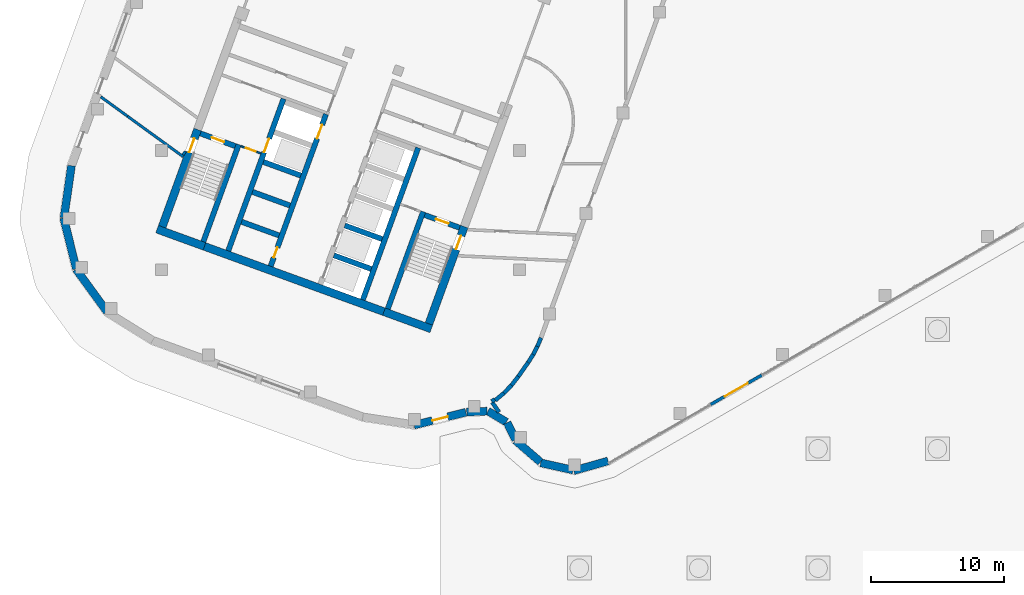
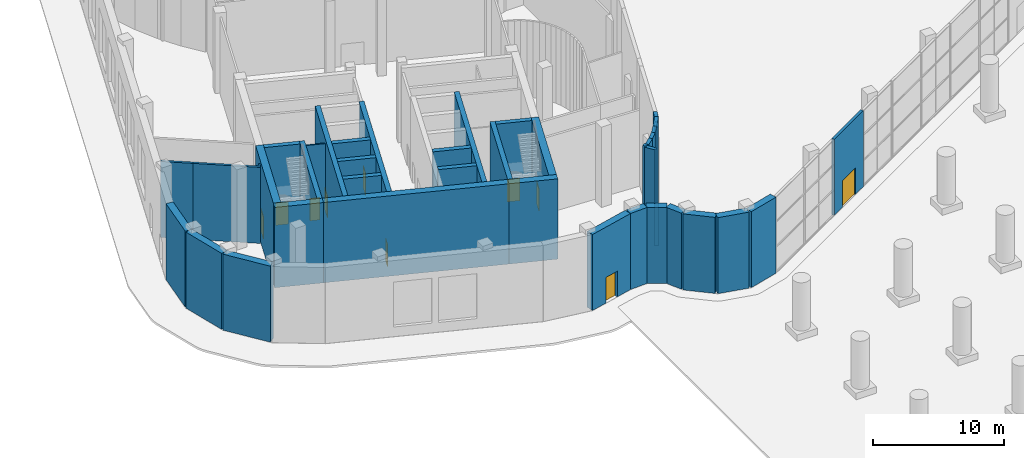
# One storey, part 12 of 30: 41 walls, 10 doors, 10 openings.
"""IFC4 building model written with IfcOpenShell, lengths in metres."""

from ifc_helpers import new_model, si_unit, direction, frame, frame_2d, origin, place, context, subcontext, project, spatial, rectangle, extrude, material, layer, layer_set, type_object, element, fill, save


model = new_model("IFC4")

# Units and contexts
model_context = context("Model", 3, precision=1e-05, world=origin(), true_north=direction((0.0, 1.0)))
body_context = subcontext(model_context, "Body", "Model", "MODEL_VIEW")
ifc_project = project(units=[si_unit("LENGTHUNIT", "METRE"), si_unit("AREAUNIT", "SQUARE_METRE"), si_unit("VOLUMEUNIT", "CUBIC_METRE"), si_unit("PLANEANGLEUNIT", "RADIAN"), si_unit("MASSUNIT", "GRAM", prefix="KILO")], contexts=[model_context])

# Site, building, storey
site_placement = place(None, origin())
site = spatial("IfcSite", under=ifc_project, at=site_placement, CompositionType="ELEMENT")
building_placement = place(site_placement, origin())
building = spatial("IfcBuilding", under=site, at=building_placement, Name="Skarvind Civic Tower", CompositionType="ELEMENT")
storey_placement = place(building_placement, origin())
storey = spatial("IfcBuildingStorey", under=building, at=storey_placement, Name="L00", CompositionType="ELEMENT", Elevation=0.0)

# Wall
ifc_material_1 = material(Name="Concrete C80", Category="concrete")
ifc_layer_1 = layer(ifc_material_1, 0.39990234375)
ifc_layer_set_1 = layer_set([ifc_layer_1], Name="Core wall 400 C80")
wall_type_1 = type_object("IfcWallType", Name="Core wall 400 C80", PredefinedType="SHEAR", material=ifc_layer_set_1)
wall_1_placement = place(storey_placement, frame((36.057861328125, 79.04833984375, 0.0), z_axis=(0.0, 0.0, 1.0), x_axis=(0.342016982193, 0.939693771338, 0.0)))
element("IfcWall", 1, at=wall_1_placement, inside=storey, type_object=wall_type_1, Name="Core wall C2 south stair inner L00", PredefinedType="SHEAR", context=body_context, shape_type="SweptSolid", body=[
    extrude(rectangle(XDim=7.800048828125, YDim=0.39990234375, at=frame_2d((3.89990234375, 0.0))), origin(), (0.0, 0.0, 1.0), 7.5),
])

# Wall, opening, door
wall_2_placement = place(storey_placement, frame((41.476318359375, 85.163818359375, 0.0), z_axis=(0.0, 0.0, 1.0), x_axis=(-0.939678810556, 0.342058084236, 0.0)))
wall_2 = element("IfcWall", 2, at=wall_2_placement, inside=storey, type_object=wall_type_1, Name="Core wall C2 south stair end L00", PredefinedType="SHEAR", context=body_context, shape_type="SweptSolid", body=[
    extrude(rectangle(XDim=2.800048828125, YDim=0.39990234375, at=frame_2d((1.39990234375, 0.0))), origin(), (0.0, 0.0, 1.0), 7.5),
])
opening_1_placement = place(wall_2_placement, frame((0.89990234375, 0.0, 0.0)))
opening_1 = element("IfcOpeningElement", 3, at=opening_1_placement, cuts=wall_2, Name="Opening D-L00-C2-15", PredefinedType="OPENING", context=body_context, shape_type="SweptSolid", body=[
    extrude(rectangle(XDim=1.0, YDim=2.10009765625, at=frame_2d((0.5, 1.050048828125))), frame((0.0, 0.2099609375, 0.0), z_axis=(0.0, -1.0, 0.0), x_axis=(1.0, 0.0, 0.0)), (0.0, 0.0, 1.0), 0.419921875),
])
ifc_material_2 = material(Name="Fire-rated steel door", Category="steel")
door_type_1 = type_object("IfcDoorType", Name="Fire door 1000", OperationType="NOTDEFINED", PredefinedType="DOOR", material=ifc_material_2)
door_1_placement = place(opening_1_placement, origin())
door_1 = element("IfcDoor", 4, at=door_1_placement, inside=storey, type_object=door_type_1, Name="Fire door", OperationType="SINGLE_SWING_RIGHT", OverallHeight=2.10009765625, OverallWidth=1.0, PredefinedType="DOOR", context=body_context, shape_type="SweptSolid", body=[
    extrude(rectangle(XDim=1.0, YDim=2.10009765625, at=frame_2d((0.5, 1.050048828125))), frame((0.0, 0.02490234375, 0.0), z_axis=(0.0, -1.0, 0.0), x_axis=(1.0, 0.0, 0.0)), (0.0, 0.0, 1.0), 0.050048828125),
])
fill(opening_1, door_1)

# Wall
wall_3_placement = place(storey_placement, frame((22.150390625, 84.110107421875, 0.0), z_axis=(0.0, 0.0, 1.0), x_axis=(0.342016982193, 0.939693771338, 0.0)))
element("IfcWall", 5, at=wall_3_placement, inside=storey, type_object=wall_type_1, Name="Core wall C2 north stair inner L00", PredefinedType="SHEAR", context=body_context, shape_type="SweptSolid", body=[
    extrude(rectangle(XDim=7.800048828125, YDim=0.39990234375, at=frame_2d((3.89990234375, 0.0))), origin(), (0.0, 0.0, 1.0), 7.5),
])

# Wall, opening, door
wall_4_placement = place(storey_placement, frame((24.56201171875, 91.3203125, 0.0), z_axis=(0.0, 0.0, 1.0), x_axis=(-0.939717030584, 0.341953070509, 0.0)))
wall_4 = element("IfcWall", 6, at=wall_4_placement, inside=storey, type_object=wall_type_1, Name="Core wall C2 north stair end L00", PredefinedType="SHEAR", context=body_context, shape_type="SweptSolid", body=[
    extrude(rectangle(XDim=2.800048828125, YDim=0.39990234375, at=frame_2d((1.39990234375, 0.0))), origin(), (0.0, 0.0, 1.0), 7.5),
])
opening_2_placement = place(wall_4_placement, frame((0.89990234375, 0.0, 0.0)))
opening_2 = element("IfcOpeningElement", 7, at=opening_2_placement, cuts=wall_4, Name="Opening D-L00-C2-10", PredefinedType="OPENING", context=body_context, shape_type="SweptSolid", body=[
    extrude(rectangle(XDim=1.0, YDim=2.10009765625, at=frame_2d((0.5, 1.050048828125))), frame((0.0, 0.2099609375, 0.0), z_axis=(0.0, -1.0, 0.0), x_axis=(1.0, 0.0, 0.0)), (0.0, 0.0, 1.0), 0.419921875),
])
door_2_placement = place(opening_2_placement, origin())
door_2 = element("IfcDoor", 8, at=door_2_placement, inside=storey, type_object=door_type_1, Name="Fire door", OperationType="SINGLE_SWING_LEFT", OverallHeight=2.10009765625, OverallWidth=1.0, PredefinedType="DOOR", context=body_context, shape_type="SweptSolid", body=[
    extrude(rectangle(XDim=1.0, YDim=2.10009765625, at=frame_2d((0.5, 1.050048828125))), frame((0.0, 0.02490234375, 0.0), z_axis=(0.0, -1.0, 0.0), x_axis=(1.0, 0.0, 0.0)), (0.0, 0.0, 1.0), 0.050048828125),
])
fill(opening_2, door_2)

# Walls
wall_5_placement = place(storey_placement, frame((34.178466796875, 79.732177734375, 0.0), z_axis=(0.0, 0.0, 1.0), x_axis=(0.342014590177, 0.939694641948, 0.0)))
element("IfcWall", 9, at=wall_5_placement, inside=storey, type_object=wall_type_1, Name="Core wall C2 south lift row back L00", PredefinedType="SHEAR", context=body_context, shape_type="SweptSolid", body=[
    extrude(rectangle(XDim=12.2001953125, YDim=0.39990234375, at=frame_2d((6.10009765625, 0.0))), origin(), (0.0, 0.0, 1.0), 7.5),
])
for number, where, z_axis, x_axis, name in (
    (10, (34.8115234375, 82.055908203125, 0.0), (0.0, 0.0, 1.0), (-0.939686455819, 0.342037080957, 0.0), "Core wall C2 south lift row division 1 L00"),
    (11, (35.63232421875, 84.311279296875, 0.0), (0.0, 0.0, 1.0), (-0.939712609717, 0.341965219194, 0.0), "Core wall C2 south lift row division 2 L00"),
):
    element("IfcWall", number, at=place(storey_placement, frame(where, z_axis=z_axis, x_axis=x_axis)), inside=storey, type_object=wall_type_1, Name=name, PredefinedType="SHEAR", context=body_context, shape_type="SweptSolid", body=[
        extrude(rectangle(XDim=3.0, YDim=0.39990234375, at=frame_2d((1.5, 0.0))), origin(), (0.0, 0.0, 1.0), 7.5),
    ])

# Wall, openings, doors
wall_6_placement = place(storey_placement, frame((27.224853515625, 82.26318359375, 0.0), z_axis=(0.0, 0.0, 1.0), x_axis=(0.342014590177, 0.939694641948, 0.0)))
wall_6 = element("IfcWall", 12, at=wall_6_placement, inside=storey, type_object=wall_type_1, Name="Core wall C2 north lift row front L00", PredefinedType="SHEAR", context=body_context, shape_type="SweptSolid", body=[
    extrude(rectangle(XDim=12.2001953125, YDim=0.39990234375, at=frame_2d((6.10009765625, 0.0))), origin(), (0.0, 0.0, 1.0), 7.5),
])
opening_3_placement = place(wall_6_placement, frame((10.25, 0.0, 0.0)))
opening_3 = element("IfcOpeningElement", 13, at=opening_3_placement, cuts=wall_6, Name="Opening LD02205", PredefinedType="OPENING", context=body_context, shape_type="SweptSolid", body=[
    extrude(rectangle(XDim=1.10009765625, YDim=2.10009765625, at=frame_2d((0.550048828125, 1.050048828125))), frame((0.0, 0.2099609375, 0.0), z_axis=(0.0, -1.0, 0.0), x_axis=(1.0, 0.0, 0.0)), (0.0, 0.0, 1.0), 0.419921875),
])
opening_4_placement = place(wall_6_placement, frame((0.699951171875, 0.0, 0.0)))
opening_4 = element("IfcOpeningElement", 14, at=opening_4_placement, cuts=wall_6, Name="Opening D-L00-C2-07", PredefinedType="OPENING", context=body_context, shape_type="SweptSolid", body=[
    extrude(rectangle(XDim=0.800048828125, YDim=2.10009765625, at=frame_2d((0.39990234375, 1.050048828125))), frame((0.0, 0.2099609375, 0.0), z_axis=(0.0, -1.0, 0.0), x_axis=(1.0, 0.0, 0.0)), (0.0, 0.0, 1.0), 0.419921875),
])
door_type_2 = type_object("IfcDoorType", Name="Core riser door 800", OperationType="NOTDEFINED", PredefinedType="DOOR", material=ifc_material_2)
door_3_placement = place(opening_4_placement, origin())
door_3 = element("IfcDoor", 15, at=door_3_placement, inside=storey, type_object=door_type_2, Name="Riser door", OperationType="SINGLE_SWING_LEFT", OverallHeight=2.10009765625, OverallWidth=0.800048828125, PredefinedType="DOOR", context=body_context, shape_type="SweptSolid", body=[
    extrude(rectangle(XDim=0.800048828125, YDim=2.10009765625, at=frame_2d((0.39990234375, 1.050048828125))), frame((0.0, 0.02490234375, 0.0), z_axis=(0.0, -1.0, 0.0), x_axis=(1.0, 0.0, 0.0)), (0.0, 0.0, 1.0), 0.050048828125),
])
fill(opening_4, door_3)
ifc_material_3 = material(Name="Stainless steel landing door", Category="steel")
door_type_3 = type_object("IfcDoorType", Name="Lift landing door 1100", OperationType="DOUBLE_DOOR_SLIDING", PredefinedType="DOOR", material=ifc_material_3)
door_4_placement = place(opening_3_placement, origin())
door_4 = element("IfcDoor", 16, at=door_4_placement, inside=storey, type_object=door_type_3, Name="Lift landing door", OperationType="DOUBLE_DOOR_SLIDING", OverallHeight=2.10009765625, OverallWidth=1.10009765625, PredefinedType="DOOR", context=body_context, shape_type="SweptSolid", body=[
    extrude(rectangle(XDim=1.10009765625, YDim=2.10009765625, at=frame_2d((0.550048828125, 1.050048828125))), frame((0.0, 0.02490234375, 0.0), z_axis=(0.0, -1.0, 0.0), x_axis=(1.0, 0.0, 0.0)), (0.0, 0.0, 1.0), 0.050048828125),
])
fill(opening_3, door_4)

# Wall, opening, door
wall_7_placement = place(storey_placement, frame((24.02978515625, 83.426025390625, 0.0), z_axis=(0.0, 0.0, 1.0), x_axis=(0.342014590177, 0.939694641948, 0.0)))
wall_7 = element("IfcWall", 17, at=wall_7_placement, inside=storey, type_object=wall_type_1, Name="Core wall C2 north lift row back L00", PredefinedType="SHEAR", context=body_context, shape_type="SweptSolid", body=[
    extrude(rectangle(XDim=12.2001953125, YDim=0.39990234375, at=frame_2d((6.10009765625, 0.0))), origin(), (0.0, 0.0, 1.0), 7.5),
])
opening_5_placement = place(wall_7_placement, frame((7.89990234375, 0.0, 0.0)))
opening_5 = element("IfcOpeningElement", 18, at=opening_5_placement, cuts=wall_7, Name="Opening LD02204", PredefinedType="OPENING", context=body_context, shape_type="SweptSolid", body=[
    extrude(rectangle(XDim=1.10009765625, YDim=2.10009765625, at=frame_2d((0.550048828125, 1.050048828125))), frame((0.0, 0.2099609375, 0.0), z_axis=(0.0, -1.0, 0.0), x_axis=(1.0, 0.0, 0.0)), (0.0, 0.0, 1.0), 0.419921875),
])
door_5_placement = place(opening_5_placement, origin())
door_5 = element("IfcDoor", 19, at=door_5_placement, inside=storey, type_object=door_type_3, Name="Lift landing door", OperationType="DOUBLE_DOOR_SLIDING", OverallHeight=2.10009765625, OverallWidth=1.10009765625, PredefinedType="DOOR", context=body_context, shape_type="SweptSolid", body=[
    extrude(rectangle(XDim=1.10009765625, YDim=2.10009765625, at=frame_2d((0.550048828125, 1.050048828125))), frame((0.0, 0.02490234375, 0.0), z_axis=(0.0, -1.0, 0.0), x_axis=(1.0, 0.0, 0.0)), (0.0, 0.0, 1.0), 0.050048828125),
])
fill(opening_5, door_5)

# Walls
wall_8_placement = place(storey_placement, frame((27.857666015625, 84.5869140625, 0.0), z_axis=(0.0, 0.0, 1.0), x_axis=(-0.939686455819, 0.342037080957, 0.0)))
element("IfcWall", 20, at=wall_8_placement, inside=storey, type_object=wall_type_1, Name="Core wall C2 north lift row division 1 L00", PredefinedType="SHEAR", context=body_context, shape_type="SweptSolid", body=[
    extrude(rectangle(XDim=3.0, YDim=0.39990234375, at=frame_2d((1.5, 0.0))), origin(), (0.0, 0.0, 1.0), 7.5),
])
wall_9_placement = place(storey_placement, frame((28.678466796875, 86.842041015625, 0.0), z_axis=(0.0, 0.0, 1.0), x_axis=(-0.939676934218, 0.342063238742, 0.0)))
element("IfcWall", 21, at=wall_9_placement, inside=storey, type_object=wall_type_1, Name="Core wall C2 north lift row division 2 L00", PredefinedType="SHEAR", context=body_context, shape_type="SweptSolid", body=[
    extrude(rectangle(XDim=2.999755859375, YDim=0.39990234375, at=frame_2d((1.5, 0.0))), origin(), (0.0, 0.0, 1.0), 7.5),
])
wall_10_placement = place(storey_placement, frame((29.49951171875, 89.097412109375, 0.0), z_axis=(0.0, 0.0, 1.0), x_axis=(-0.939686455819, 0.342037080957, 0.0)))
element("IfcWall", 22, at=wall_10_placement, inside=storey, type_object=wall_type_1, Name="Core wall C2 north lift row division 3 L00", PredefinedType="SHEAR", context=body_context, shape_type="SweptSolid", body=[
    extrude(rectangle(XDim=3.0, YDim=0.39990234375, at=frame_2d((1.5, 0.0))), origin(), (0.0, 0.0, 1.0), 7.5),
])
ifc_layer_2 = layer(ifc_material_1, 0.60009765625)
ifc_layer_set_2 = layer_set([ifc_layer_2], Name="Core wall 600 C80")
wall_type_2 = type_object("IfcWallType", Name="Core wall 600 C80", PredefinedType="SHEAR", material=ifc_layer_set_2)
wall_11_placement = place(storey_placement, frame((39.338134765625, 77.53515625, 0.0), z_axis=(0.0, 0.0, 1.0), x_axis=(-0.939701471648, 0.341995824804, 0.0)))
element("IfcWall", 23, at=wall_11_placement, inside=storey, type_object=wall_type_2, Name="Core wall C2 tip at the south stair L00", PredefinedType="SHEAR", context=body_context, shape_type="SweptSolid", body=[
    extrude(rectangle(XDim=3.800048828125, YDim=0.60009765625, at=frame_2d((1.89990234375, 0.0))), origin(), (0.0, 0.0, 1.0), 7.5),
])
wall_12_placement = place(storey_placement, frame((35.767333984375, 78.834716796875, 0.0), z_axis=(0.0, 0.0, 1.0), x_axis=(-0.939692894512, 0.342019391267, 0.0)))
element("IfcWall", 24, at=wall_12_placement, inside=storey, type_object=wall_type_2, Name="Core wall C2 tip between the stairs L00", PredefinedType="SHEAR", context=body_context, shape_type="SweptSolid", body=[
    extrude(rectangle(XDim=14.39990234375, YDim=0.60009765625, at=frame_2d((7.199951171875, 0.0))), origin(), (0.0, 0.0, 1.0), 7.5),
])
wall_13_placement = place(storey_placement, frame((22.23583984375, 83.759765625, 0.0), z_axis=(0.0, 0.0, 1.0), x_axis=(-0.939680822529, 0.342052557032, 0.0)))
element("IfcWall", 25, at=wall_13_placement, inside=storey, type_object=wall_type_2, Name="Core wall C2 tip at the north stair L00", PredefinedType="SHEAR", context=body_context, shape_type="SweptSolid", body=[
    extrude(rectangle(XDim=3.800048828125, YDim=0.60009765625, at=frame_2d((1.89990234375, 0.0))), origin(), (0.0, 0.0, 1.0), 7.5),
])

# Wall, opening, door
wall_14_placement = place(storey_placement, frame((39.158935546875, 77.919677734375, 0.0), z_axis=(0.0, 0.0, 1.0), x_axis=(0.342016982193, 0.939693771338, 0.0)))
wall_14 = element("IfcWall", 26, at=wall_14_placement, inside=storey, type_object=wall_type_2, Name="Core wall C2 south side at the stair L00", PredefinedType="SHEAR", context=body_context, shape_type="SweptSolid", body=[
    extrude(rectangle(XDim=7.800048828125, YDim=0.60009765625, at=frame_2d((3.89990234375, 0.0))), origin(), (0.0, 0.0, 1.0), 7.5),
])
opening_6_placement = place(wall_14_placement, frame((5.97509765625, 0.0, 0.0)))
opening_6 = element("IfcOpeningElement", 27, at=opening_6_placement, cuts=wall_14, Name="Opening D-L00-C2-20", PredefinedType="OPENING", context=body_context, shape_type="SweptSolid", body=[
    extrude(rectangle(XDim=1.10009765625, YDim=2.10009765625, at=frame_2d((0.550048828125, 1.050048828125))), frame((0.0, 0.31005859375, 0.0), z_axis=(0.0, -1.0, 0.0), x_axis=(1.0, 0.0, 0.0)), (0.0, 0.0, 1.0), 0.6201171875),
])
door_type_4 = type_object("IfcDoorType", Name="Fire door 1100", OperationType="NOTDEFINED", PredefinedType="DOOR", material=ifc_material_2)
door_6_placement = place(opening_6_placement, origin())
door_6 = element("IfcDoor", 28, at=door_6_placement, inside=storey, type_object=door_type_4, Name="Stair exit door", OperationType="SINGLE_SWING_LEFT", OverallHeight=2.10009765625, OverallWidth=1.10009765625, PredefinedType="DOOR", context=body_context, shape_type="SweptSolid", body=[
    extrude(rectangle(XDim=1.10009765625, YDim=2.10009765625, at=frame_2d((0.550048828125, 1.050048828125))), frame((0.0, 0.02490234375, 0.0), z_axis=(0.0, -1.0, 0.0), x_axis=(1.0, 0.0, 0.0)), (0.0, 0.0, 1.0), 0.050048828125),
])
fill(opening_6, door_6)

wall_15_placement = place(storey_placement, frame((19.049560546875, 85.23876953125, 0.0), z_axis=(0.0, 0.0, 1.0), x_axis=(0.342016982193, 0.939693771338, 0.0)))
wall_15 = element("IfcWall", 29, at=wall_15_placement, inside=storey, type_object=wall_type_2, Name="Core wall C2 north side at the stair L00", PredefinedType="SHEAR", context=body_context, shape_type="SweptSolid", body=[
    extrude(rectangle(XDim=7.800048828125, YDim=0.60009765625, at=frame_2d((3.89990234375, 0.0))), origin(), (0.0, 0.0, 1.0), 7.5),
])
opening_7_placement = place(wall_15_placement, frame((5.97509765625, 0.0, 0.0)))
opening_7 = element("IfcOpeningElement", 30, at=opening_7_placement, cuts=wall_15, Name="Opening D-L00-C2-21", PredefinedType="OPENING", context=body_context, shape_type="SweptSolid", body=[
    extrude(rectangle(XDim=1.10009765625, YDim=2.10009765625, at=frame_2d((0.550048828125, 1.050048828125))), frame((0.0, 0.31005859375, 0.0), z_axis=(0.0, -1.0, 0.0), x_axis=(1.0, 0.0, 0.0)), (0.0, 0.0, 1.0), 0.6201171875),
])
door_7_placement = place(opening_7_placement, origin())
door_7 = element("IfcDoor", 31, at=door_7_placement, inside=storey, type_object=door_type_4, Name="Stair exit door", OperationType="SINGLE_SWING_LEFT", OverallHeight=2.10009765625, OverallWidth=1.10009765625, PredefinedType="DOOR", context=body_context, shape_type="SweptSolid", body=[
    extrude(rectangle(XDim=1.10009765625, YDim=2.10009765625, at=frame_2d((0.550048828125, 1.050048828125))), frame((0.0, 0.02490234375, 0.0), z_axis=(0.0, -1.0, 0.0), x_axis=(1.0, 0.0, 0.0)), (0.0, 0.0, 1.0), 0.050048828125),
])
fill(opening_7, door_7)

# Walls
ifc_material_4 = material(Name="Fire-rated blockwork wall, plastered", Category="masonry")
ifc_layer_3 = layer(ifc_material_4, 0.199951171875)
ifc_layer_set_3 = layer_set([ifc_layer_3], Name="FIRE WALL 200 EI 120")
wall_type_3 = type_object("IfcWallType", Name="FIRE WALL 200 EI 120", PredefinedType="PARTITIONING", material=ifc_layer_set_3)
wall_16_placement = place(storey_placement, frame((14.4208984375, 95.034912109375, 0.0), z_axis=(0.0, 0.0, 1.0), x_axis=(0.809175682169, -0.587566775257, 0.0)))
element("IfcWall", 32, at=wall_16_placement, inside=storey, type_object=wall_type_3, Name="Podium partition L00 001", PredefinedType="PARTITIONING", context=body_context, shape_type="SweptSolid", body=[
    extrude(rectangle(XDim=2.496337890625, YDim=0.199951171875, at=frame_2d((1.248046875, 0.0))), origin(), (0.0, 0.0, 1.0), 7.10009765625),
])
wall_17_placement = place(storey_placement, frame((16.44091796875, 93.568115234375, 0.0), z_axis=(0.0, 0.0, 1.0), x_axis=(0.808958037441, -0.587866390993, 0.0)))
element("IfcWall", 33, at=wall_17_placement, inside=storey, type_object=wall_type_3, Name="Podium partition L00 003", PredefinedType="PARTITIONING", context=body_context, shape_type="SweptSolid", body=[
    extrude(rectangle(XDim=5.183349609375, YDim=0.199951171875, at=frame_2d((2.591796875, 0.0))), origin(), (0.0, 0.0, 1.0), 7.10009765625),
])
wall_18_placement = place(storey_placement, frame((20.612060546875, 90.660888671875, 0.0), z_axis=(0.0, 0.0, 1.0), x_axis=(0.588498675879, 0.808498180881, 0.0)))
element("IfcWall", 34, at=wall_18_placement, inside=storey, type_object=wall_type_3, Name="Podium partition L00 004", PredefinedType="PARTITIONING", context=body_context, shape_type="SweptSolid", body=[
    extrude(rectangle(XDim=0.310791015625, YDim=0.199951171875, at=frame_2d((0.1552734375, 0.0))), origin(), (0.0, 0.0, 1.0), 7.10009765625),
])
ifc_material_5 = material(Name="Dense blockwork wall, plastered", Category="masonry")
ifc_layer_4 = layer(ifc_material_5, 0.300048828125)
ifc_layer_set_4 = layer_set([ifc_layer_4], Name="MASONRY WALL 300")
wall_type_4 = type_object("IfcWallType", Name="MASONRY WALL 300", PredefinedType="PARTITIONING", material=ifc_layer_set_4)
wall_19_placement = place(storey_placement, frame((43.930908203125, 71.9970703125, 0.0), z_axis=(0.0, 0.0, 1.0), x_axis=(0.57380776135, -0.818990020095, 0.0)))
element("IfcWall", 35, at=wall_19_placement, inside=storey, type_object=wall_type_4, Name="Podium partition L00 029", PredefinedType="PARTITIONING", context=body_context, shape_type="SweptSolid", body=[
    extrude(rectangle(XDim=0.901123046875, YDim=0.300048828125, at=frame_2d((0.45068359375, 0.0))), origin(), (0.0, 0.0, 1.0), 12.10009765625),
])
wall_20_placement = place(storey_placement, frame((43.89111328125, 72.06689453125, 0.0), z_axis=(0.0, 0.0, 1.0), x_axis=(0.830985614817, 0.556293904306, 0.0)))
element("IfcWall", 36, at=wall_20_placement, inside=storey, type_object=wall_type_4, Name="Podium partition L00 030", PredefinedType="PARTITIONING", context=body_context, shape_type="SweptSolid", body=[
    extrude(rectangle(XDim=0.28271484375, YDim=0.300048828125, at=frame_2d((0.141357421875, 0.0))), origin(), (0.0, 0.0, 1.0), 12.10009765625),
])
wall_21_placement = place(storey_placement, frame((44.156982421875, 72.14794921875, 0.0), z_axis=(0.0, 0.0, 1.0), x_axis=(0.76598684345, 0.642856248054, 0.0)))
element("IfcWall", 37, at=wall_21_placement, inside=storey, type_object=wall_type_4, Name="Podium partition L00 031", PredefinedType="PARTITIONING", context=body_context, shape_type="SweptSolid", body=[
    extrude(rectangle(XDim=0.8525390625, YDim=0.300048828125, at=frame_2d((0.42626953125, 0.0))), origin(), (0.0, 0.0, 1.0), 12.10009765625),
])
wall_22_placement = place(storey_placement, frame((44.799072265625, 72.68505859375, 0.0), z_axis=(0.0, 0.0, 1.0), x_axis=(0.693537256073, 0.720420762082, 0.0)))
element("IfcWall", 38, at=wall_22_placement, inside=storey, type_object=wall_type_4, Name="Podium partition L00 033", PredefinedType="PARTITIONING", context=body_context, shape_type="SweptSolid", body=[
    extrude(rectangle(XDim=0.853759765625, YDim=0.300048828125, at=frame_2d((0.4267578125, 0.0))), origin(), (0.0, 0.0, 1.0), 12.10009765625),
])
wall_23_placement = place(storey_placement, frame((45.381103515625, 73.2880859375, 0.0), z_axis=(0.0, 0.0, 1.0), x_axis=(0.615889519924, 0.787832532489, 0.0)))
element("IfcWall", 39, at=wall_23_placement, inside=storey, type_object=wall_type_4, Name="Podium partition L00 034", PredefinedType="PARTITIONING", context=body_context, shape_type="SweptSolid", body=[
    extrude(rectangle(XDim=0.84912109375, YDim=0.300048828125, at=frame_2d((0.424560546875, 0.0))), origin(), (0.0, 0.0, 1.0), 12.10009765625),
])
wall_24_placement = place(storey_placement, frame((45.89990234375, 73.950927734375, 0.0), z_axis=(0.0, 0.0, 1.0), x_axis=(0.573487599406, 0.819214241409, 0.0)))
element("IfcWall", 40, at=wall_24_placement, inside=storey, type_object=wall_type_4, Name="Podium partition L00 035", PredefinedType="PARTITIONING", context=body_context, shape_type="SweptSolid", body=[
    extrude(rectangle(XDim=1.297607421875, YDim=0.300048828125, at=frame_2d((0.64892578125, 0.0))), origin(), (0.0, 0.0, 1.0), 12.10009765625),
])
wall_25_placement = place(storey_placement, frame((46.64404296875, 75.013916015625, 0.0), z_axis=(0.0, 0.0, 1.0), x_axis=(0.537794462824, 0.843075984568, 0.0)))
element("IfcWall", 41, at=wall_25_placement, inside=storey, type_object=wall_type_4, Name="Podium partition L00 040", PredefinedType="PARTITIONING", context=body_context, shape_type="SweptSolid", body=[
    extrude(rectangle(XDim=0.70458984375, YDim=0.300048828125, at=frame_2d((0.352294921875, 0.0))), origin(), (0.0, 0.0, 1.0), 11.10009765625),
])
wall_26_placement = place(storey_placement, frame((47.01611328125, 75.595947265625, 0.0), z_axis=(0.0, 0.0, 1.0), x_axis=(0.461028446506, 0.887385356827, 0.0)))
element("IfcWall", 42, at=wall_26_placement, inside=storey, type_object=wall_type_4, Name="Podium partition L00 042", PredefinedType="PARTITIONING", context=body_context, shape_type="SweptSolid", body=[
    extrude(rectangle(XDim=0.711181640625, YDim=0.300048828125, at=frame_2d((0.35546875, 0.0))), origin(), (0.0, 0.0, 1.0), 11.10009765625),
])
wall_27_placement = place(storey_placement, frame((47.337890625, 76.215087890625, 0.0), z_axis=(0.0, 0.0, 1.0), x_axis=(0.383188071607, 0.923670342589, 0.0)))
element("IfcWall", 43, at=wall_27_placement, inside=storey, type_object=wall_type_4, Name="Podium partition L00 046", PredefinedType="PARTITIONING", context=body_context, shape_type="SweptSolid", body=[
    extrude(rectangle(XDim=0.70458984375, YDim=0.300048828125, at=frame_2d((0.352294921875, 0.0))), origin(), (0.0, 0.0, 1.0), 11.10009765625),
])

# Wall, opening, door
ifc_material_6 = material(Name="Fire-rated masonry partition", Category="masonry")
ifc_layer_5 = layer(ifc_material_6, 0.125)
ifc_layer_set_5 = layer_set([ifc_layer_5], Name="Riser wall 125")
wall_type_5 = type_object("IfcWallType", Name="Riser wall 125", PredefinedType="PARTITIONING", material=ifc_layer_set_5)
wall_28_placement = place(storey_placement, frame((24.98486328125, 91.3125, 0.0), z_axis=(0.0, 0.0, 1.0), x_axis=(0.939708740826, -0.341975850632, 0.0)))
wall_28 = element("IfcWall", 44, at=wall_28_placement, inside=storey, type_object=wall_type_5, Name="Core wall C2", PredefinedType="PARTITIONING", context=body_context, shape_type="SweptSolid", body=[
    extrude(rectangle(XDim=1.599853515625, YDim=0.125, at=frame_2d((0.7998046875, 0.0))), origin(), (0.0, 0.0, 1.0), 7.10009765625),
])
opening_8_placement = place(wall_28_placement, frame((0.39990234375, 0.0, 0.0)))
opening_8 = element("IfcOpeningElement", 45, at=opening_8_placement, cuts=wall_28, Name="Opening D-L00-C2-11", PredefinedType="OPENING", context=body_context, shape_type="SweptSolid", body=[
    extrude(rectangle(XDim=0.800048828125, YDim=2.10009765625, at=frame_2d((0.39990234375, 1.050048828125))), frame((0.0, 0.072509765625, 0.0), z_axis=(0.0, -1.0, 0.0), x_axis=(1.0, 0.0, 0.0)), (0.0, 0.0, 1.0), 0.14501953125),
])
door_8_placement = place(opening_8_placement, origin())
door_8 = element("IfcDoor", 46, at=door_8_placement, inside=storey, type_object=door_type_2, Name="Riser door", OperationType="SINGLE_SWING_RIGHT", OverallHeight=2.10009765625, OverallWidth=0.800048828125, PredefinedType="DOOR", context=body_context, shape_type="SweptSolid", body=[
    extrude(rectangle(XDim=0.800048828125, YDim=2.10009765625, at=frame_2d((0.39990234375, 1.050048828125))), frame((0.0, 0.02490234375, 0.0), z_axis=(0.0, -1.0, 0.0), x_axis=(1.0, 0.0, 0.0)), (0.0, 0.0, 1.0), 0.050048828125),
])
fill(opening_8, door_8)

# Walls
ifc_material_7 = material(Name="Limestone masonry cladding on insulated backing", Category="masonry")
ifc_layer_6 = layer(ifc_material_7, 0.60009765625)
ifc_layer_set_6 = layer_set([ifc_layer_6], Name="WX1 STONE FACADE WALL 600")
wall_type_6 = type_object("IfcWallType", Name="WX1 STONE FACADE WALL 600", PredefinedType="SOLIDWALL", material=ifc_layer_set_6)
wall_29_placement = place(storey_placement, frame((11.640869140625, 85.919677734375, 0.0), z_axis=(0.0, 0.0, 1.0), x_axis=(0.142240980655, 0.989832058191, 0.0)))
element("IfcWall", 47, at=wall_29_placement, inside=storey, type_object=wall_type_6, Name="STONE FACADE WALL", PredefinedType="SOLIDWALL", context=body_context, shape_type="SweptSolid", body=[
    extrude(rectangle(XDim=3.96142578125, YDim=0.60009765625, at=frame_2d((1.980712890625, 0.0))), origin(), (0.0, 0.0, 1.0), 7.10009765625),
])
for number, where, z_axis, x_axis, name in (
    (48, (12.571044921875, 82.06103515625, 0.0), (0.0, 0.0, 1.0), (-0.240896747667, 0.970550749298, 0.0), "STONE FACADE WALL"),
    (49, (14.885498046875, 78.836669921875, 0.0), (0.0, 0.0, 1.0), (-0.588600339707, 0.808424170901, 0.0), "STONE FACADE WALL"),
):
    element("IfcWall", number, at=place(storey_placement, frame(where, z_axis=z_axis, x_axis=x_axis)), inside=storey, type_object=wall_type_6, Name=name, PredefinedType="SOLIDWALL", context=body_context, shape_type="SweptSolid", body=[
        extrude(rectangle(XDim=3.961669921875, YDim=0.60009765625, at=frame_2d((1.98095703125, 0.0))), origin(), (0.0, 0.0, 1.0), 7.10009765625),
    ])
wall_30_placement = place(storey_placement, frame((43.538330078125, 71.335205078125, 0.0), z_axis=(0.0, 0.0, 1.0), x_axis=(-0.998910056035, -0.046676546065, 0.0)))
element("IfcWall", 50, at=wall_30_placement, inside=storey, type_object=wall_type_6, Name="STONE FACADE WALL", PredefinedType="SOLIDWALL", context=body_context, shape_type="SweptSolid", body=[
    extrude(rectangle(XDim=1.52734375, YDim=0.60009765625, at=frame_2d((0.763671875, 0.0))), origin(), (0.0, 0.0, 1.0), 7.10009765625),
])
wall_31_placement = place(storey_placement, frame((44.998291015625, 70.511474609375, 0.0), z_axis=(0.0, 0.0, 1.0), x_axis=(-0.859405023985, 0.511295418275, 0.0)))
element("IfcWall", 51, at=wall_31_placement, inside=storey, type_object=wall_type_6, Name="STONE FACADE WALL", PredefinedType="SOLIDWALL", context=body_context, shape_type="SweptSolid", body=[
    extrude(rectangle(XDim=1.6171875, YDim=0.60009765625, at=frame_2d((0.80859375, 0.0))), origin(), (0.0, 0.0, 1.0), 7.10009765625),
])
wall_32_placement = place(storey_placement, frame((45.689208984375, 69.1728515625, 0.0), z_axis=(0.0, 0.0, 1.0), x_axis=(-0.435706421579, 0.900088836835, 0.0)))
element("IfcWall", 52, at=wall_32_placement, inside=storey, type_object=wall_type_6, Name="STONE FACADE WALL", PredefinedType="SOLIDWALL", context=body_context, shape_type="SweptSolid", body=[
    extrude(rectangle(XDim=1.447265625, YDim=0.60009765625, at=frame_2d((0.7236328125, 0.0))), origin(), (0.0, 0.0, 1.0), 7.10009765625),
])
for number, where, z_axis, x_axis, name in (
    (53, (47.568603515625, 67.498779296875, 0.0), (0.0, 0.0, 1.0), (-0.755885810724, 0.65470347574, 0.0), "STONE FACADE WALL"),
    (54, (50.026123046875, 66.8916015625, 0.0), (0.0, 0.0, 1.0), (-0.976143335466, 0.217127125495, 0.0), "STONE FACADE WALL"),
):
    element("IfcWall", number, at=place(storey_placement, frame(where, z_axis=z_axis, x_axis=x_axis)), inside=storey, type_object=wall_type_6, Name=name, PredefinedType="SOLIDWALL", context=body_context, shape_type="SweptSolid", body=[
        extrude(rectangle(XDim=2.497314453125, YDim=0.60009765625, at=frame_2d((1.24853515625, 0.0))), origin(), (0.0, 0.0, 1.0), 7.10009765625),
    ])
wall_33_placement = place(storey_placement, frame((52.66943359375, 67.57958984375, 0.0), z_axis=(0.0, 0.0, 1.0), x_axis=(-0.962092295181, -0.272724064859, 0.0)))
element("IfcWall", 55, at=wall_33_placement, inside=storey, type_object=wall_type_6, Name="STONE FACADE WALL", PredefinedType="SOLIDWALL", context=body_context, shape_type="SweptSolid", body=[
    extrude(rectangle(XDim=2.697265625, YDim=0.60009765625, at=frame_2d((1.3486328125, 0.0))), origin(), (0.0, 0.0, 1.0), 7.10009765625),
])

# Wall, opening, door
ifc_layer_7 = layer(ifc_material_7, 0.60009765625)
ifc_layer_set_7 = layer_set([ifc_layer_7], Name="WX1F FIRE-RATED STONE FACADE WALL 600")
wall_type_7 = type_object("IfcWallType", Name="WX1F FIRE-RATED STONE FACADE WALL 600", PredefinedType="SOLIDWALL", material=ifc_layer_set_7)
wall_34_placement = place(storey_placement, frame((41.9541015625, 71.25537109375, 0.0), z_axis=(0.0, 0.0, 1.0), x_axis=(-0.970377180078, -0.241594967628, 0.0)))
wall_34 = element("IfcWall", 56, at=wall_34_placement, inside=storey, type_object=wall_type_7, Name="STONE FACADE WALL", PredefinedType="SOLIDWALL", context=body_context, shape_type="SweptSolid", body=[
    extrude(rectangle(XDim=4.031005859375, YDim=0.60009765625, at=frame_2d((2.015625, 0.0))), origin(), (0.0, 0.0, 1.0), 7.10009765625),
])
opening_9_placement = place(wall_34_placement, frame((1.41552734375, 0.0, 0.0)))
opening_9 = element("IfcOpeningElement", 57, at=opening_9_placement, cuts=wall_34, Name="Opening DX2", PredefinedType="OPENING", context=body_context, shape_type="SweptSolid", body=[
    extrude(rectangle(XDim=1.199951171875, YDim=2.39990234375, at=frame_2d((0.60009765625, 1.199951171875))), frame((0.0, 0.31005859375, 0.0), z_axis=(0.0, -1.0, 0.0), x_axis=(1.0, 0.0, 0.0)), (0.0, 0.0, 1.0), 0.6201171875),
])
ifc_material_8 = material(Name="Timber and glass doorset", Category="wood")
door_type_5 = type_object("IfcDoorType", Name="DX2 EXIT DOOR 1200 x 2400", OperationType="NOTDEFINED", PredefinedType="DOOR", material=ifc_material_8)
door_9_placement = place(opening_9_placement, origin())
door_9 = element("IfcDoor", 58, at=door_9_placement, inside=storey, type_object=door_type_5, Name="EXIT DOOR", OperationType="SINGLE_SWING_LEFT", OverallHeight=2.39990234375, OverallWidth=1.199951171875, PredefinedType="DOOR", context=body_context, shape_type="SweptSolid", body=[
    extrude(rectangle(XDim=1.199951171875, YDim=2.39990234375, at=frame_2d((0.60009765625, 1.199951171875))), frame((0.0, 0.02490234375, 0.0), z_axis=(0.0, -1.0, 0.0), x_axis=(1.0, 0.0, 0.0)), (0.0, 0.0, 1.0), 0.050048828125),
])
fill(opening_9, door_9)

ifc_layer_8 = layer(ifc_material_7, 0.239990234375)
ifc_layer_set_8 = layer_set([ifc_layer_8], Name="WX4 STONE DOOR PIER WALL 240")
wall_type_8 = type_object("IfcWallType", Name="WX4 STONE DOOR PIER WALL 240", PredefinedType="SOLIDWALL", material=ifc_layer_set_8)
wall_35_placement = place(storey_placement, frame((64.258544921875, 74.052490234375, 0.0), z_axis=(0.0, 0.0, 1.0), x_axis=(-0.866692200554, -0.498843291524, 0.0)))
wall_35 = element("IfcWall", 59, at=wall_35_placement, inside=storey, type_object=wall_type_8, Name="STONE DOOR PIER WALL", PredefinedType="SOLIDWALL", context=body_context, shape_type="SweptSolid", body=[
    extrude(rectangle(XDim=4.44873046875, YDim=0.239990234375, at=frame_2d((2.224365234375, 0.0))), origin(), (0.0, 0.0, 1.0), 7.10009765625),
])
opening_10_placement = place(wall_35_placement, frame((1.224365234375, 0.0, 0.0)))
opening_10 = element("IfcOpeningElement", 60, at=opening_10_placement, cuts=wall_35, Name="Opening DX1", PredefinedType="OPENING", context=body_context, shape_type="SweptSolid", body=[
    extrude(rectangle(XDim=2.0, YDim=2.5, at=frame_2d((1.0, 1.25))), frame((0.0, 0.1298828125, 0.0), z_axis=(0.0, -1.0, 0.0), x_axis=(1.0, 0.0, 0.0)), (0.0, 0.0, 1.0), 0.260009765625),
])
door_type_6 = type_object("IfcDoorType", Name="DX1 ENTRANCE DOORS 2000 x 2500", OperationType="NOTDEFINED", PredefinedType="DOOR", material=ifc_material_8)
door_10_placement = place(opening_10_placement, origin())
door_10 = element("IfcDoor", 61, at=door_10_placement, inside=storey, type_object=door_type_6, Name="ENTRANCE DOORS", OperationType="DOUBLE_DOOR_SINGLE_SWING", OverallHeight=2.5, OverallWidth=2.0, PredefinedType="DOOR", context=body_context, shape_type="SweptSolid", body=[
    extrude(rectangle(XDim=2.0, YDim=2.5, at=frame_2d((1.0, 1.25))), frame((0.0, 0.02490234375, 0.0), z_axis=(0.0, -1.0, 0.0), x_axis=(1.0, 0.0, 0.0)), (0.0, 0.0, 1.0), 0.050048828125),
])
fill(opening_10, door_10)

save(model, "model.ifc")
